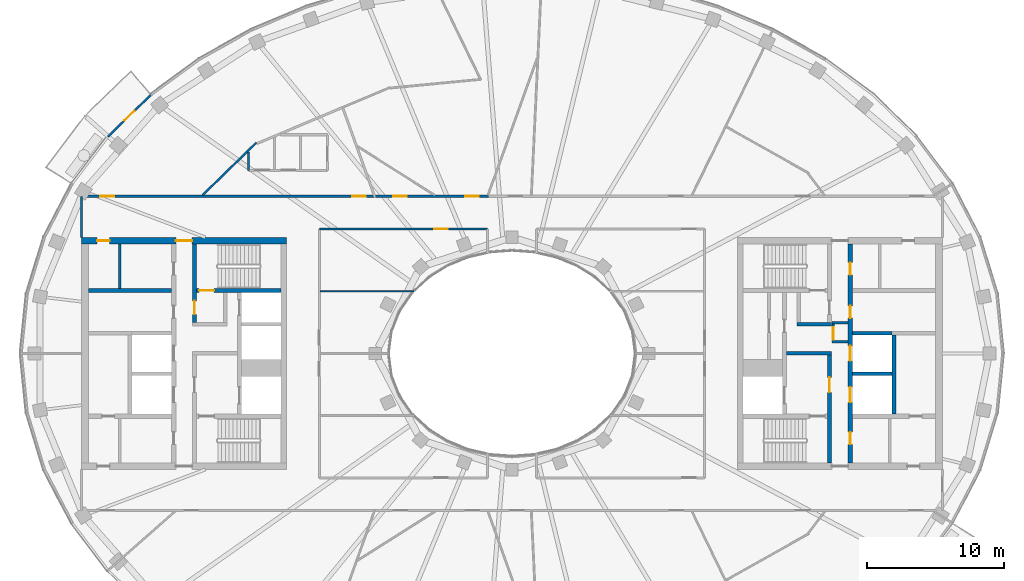
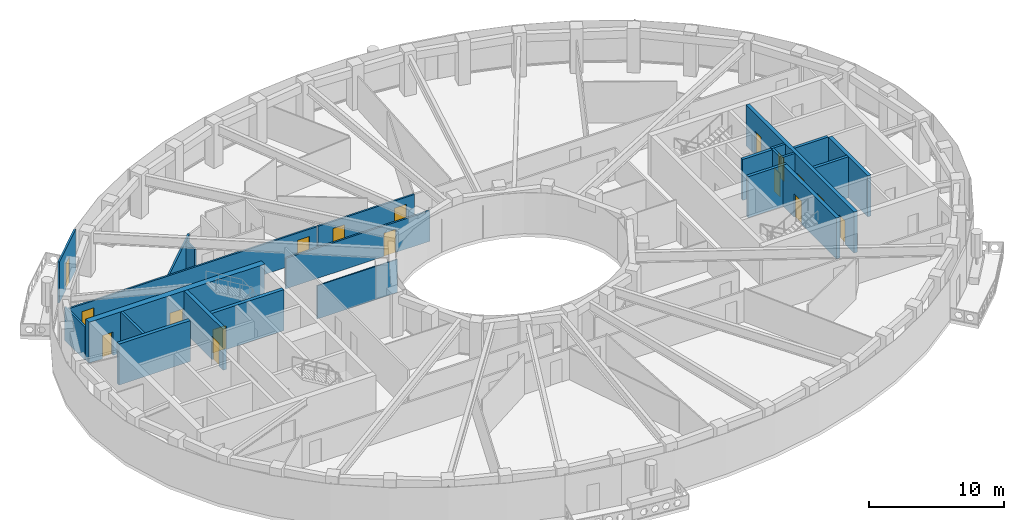
# One storey, part 5 of 16: 23 walls, 17 doors, 17 openings.
"""IFC4 building model written with IfcOpenShell, lengths in metres."""

from ifc_helpers import new_model, si_unit, direction, frame, frame_2d, origin, place, context, subcontext, project, spatial, rectangle, extrude, material, layer, layer_set, type_object, element, fill, save


model = new_model("IFC4")

# Units and contexts
model_context = context("Model", 3, precision=1e-05, world=origin(), true_north=direction((0.0, 1.0)))
body_context = subcontext(model_context, "Body", "Model", "MODEL_VIEW")
ifc_project = project(units=[si_unit("LENGTHUNIT", "METRE"), si_unit("AREAUNIT", "SQUARE_METRE"), si_unit("VOLUMEUNIT", "CUBIC_METRE"), si_unit("PLANEANGLEUNIT", "RADIAN"), si_unit("MASSUNIT", "GRAM", prefix="KILO")], contexts=[model_context])

# Site, building, storey
site_placement = place(None, origin())
site = spatial("IfcSite", under=ifc_project, at=site_placement, CompositionType="ELEMENT")
building_placement = place(site_placement, origin())
building = spatial("IfcBuilding", under=site, at=building_placement, Name="Noorbagh Ring Tower", CompositionType="ELEMENT")
storey_placement = place(building_placement, frame((0.0, 0.0, 303.0)))
storey = spatial("IfcBuildingStorey", under=building, at=storey_placement, Name="L65", CompositionType="ELEMENT", Elevation=303.0)

# Walls
ifc_material_1 = material(Name="Gypsum board on steel studs", Category="steel")
ifc_layer_1 = layer(ifc_material_1, 0.199951171875)
ifc_layer_set_1 = layer_set([ifc_layer_1], Name="Gypsum board on steel studs")
wall_type_1 = type_object("IfcWallType", Name="CORE-PARTITION-200", PredefinedType="PARTITIONING", material=ifc_layer_set_1)
wall_1_placement = place(storey_placement, frame((-28.699951171875, 4.75, 0.0), z_axis=(0.0, 0.0, 1.0), x_axis=(0.0, 1.0, 0.0)))
element("IfcWall", 1, at=wall_1_placement, inside=storey, type_object=wall_type_1, Name="Core partition W", PredefinedType="PARTITIONING", context=body_context, shape_type="SweptSolid", body=[
    extrude(rectangle(XDim=3.25, YDim=0.199951171875, at=frame_2d((1.625, 0.0))), origin(), (0.0, 0.0, 1.0), 3.699951171875),
])
for number, where, z_axis, x_axis, name in (
    (2, (23.39990234375, 0.85009765625, 0.0), (0.0, 0.0, 1.0), (1.0, 0.0, 0.0), "Core partition E"),
    (3, (23.39990234375, 2.25, 0.0), (0.0, 0.0, 1.0), (1.0, 0.0, 0.0), "Core partition E"),
):
    element("IfcWall", number, at=place(storey_placement, frame(where, z_axis=z_axis, x_axis=x_axis)), inside=storey, type_object=wall_type_1, Name=name, PredefinedType="PARTITIONING", context=body_context, shape_type="SweptSolid", body=[
        extrude(rectangle(XDim=1.2001953125, YDim=0.199951171875, at=frame_2d((0.60009765625, 0.0))), origin(), (0.0, 0.0, 1.0), 3.699951171875),
    ])

# Wall, opening, door
wall_2_placement = place(storey_placement, frame((23.5, 0.75, 0.0), z_axis=(0.0, 0.0, 1.0), x_axis=(0.0, 1.0, 0.0)))
wall_2 = element("IfcWall", 4, at=wall_2_placement, inside=storey, type_object=wall_type_1, Name="Core partition E", PredefinedType="PARTITIONING", context=body_context, shape_type="SweptSolid", body=[
    extrude(rectangle(XDim=1.60009765625, YDim=0.199951171875, at=frame_2d((0.800048828125, 0.0))), origin(), (0.0, 0.0, 1.0), 3.699951171875),
])
opening_1_placement = place(wall_2_placement, frame((0.25, 0.0, 0.0)))
opening_1 = element("IfcOpeningElement", 5, at=opening_1_placement, cuts=wall_2, Name="Opening L65-CE17", PredefinedType="OPENING", context=body_context, shape_type="SweptSolid", body=[
    extrude(rectangle(XDim=0.89990234375, YDim=2.10009765625, at=frame_2d((0.449951171875, 1.050048828125))), frame((0.0, 0.10986328125, 0.0), z_axis=(0.0, -1.0, 0.0), x_axis=(1.0, 0.0, 0.0)), (0.0, 0.0, 1.0), 0.219970703125),
])
ifc_material_2 = material(Name="Steel door leaf", Category="steel")
door_type_1 = type_object("IfcDoorType", Name="CORE-DOOR-DROOM", OperationType="SINGLE_SWING_LEFT", PredefinedType="DOOR", material=ifc_material_2)
door_1_placement = place(opening_1_placement, origin())
door_1 = element("IfcDoor", 6, at=door_1_placement, inside=storey, type_object=door_type_1, Name="Core room door L65-CE17", OperationType="SINGLE_SWING_LEFT", OverallHeight=2.10009765625, OverallWidth=0.89990234375, PredefinedType="DOOR", context=body_context, shape_type="SweptSolid", body=[
    extrude(rectangle(XDim=0.89990234375, YDim=2.10009765625, at=frame_2d((0.449951171875, 1.050048828125))), frame((0.0, 0.02490234375, 0.0), z_axis=(0.0, -1.0, 0.0), x_axis=(1.0, 0.0, 0.0)), (0.0, 0.0, 1.0), 0.050048828125),
])
fill(opening_1, door_1)

# Walls
ifc_material_3 = material(Name="Concrete C50/60", Category="concrete")
ifc_layer_2 = layer(ifc_material_3, 0.25)
ifc_layer_set_2 = layer_set([ifc_layer_2], Name="Concrete C50/60")
wall_type_2 = type_object("IfcWallType", Name="CORE-WALL-250-C50-60-EI120", PredefinedType="SHEAR", material=ifc_layer_set_2)
for number, where, z_axis, x_axis, name in (
    (7, (24.89990234375, -1.47509765625, 0.0), (0.0, 0.0, 1.0), (1.0, 0.0, 0.0), "Core wall E"),
    (8, (24.89990234375, 1.47509765625, 0.0), (0.0, 0.0, 1.0), (1.0, 0.0, 0.0), "Core wall E"),
):
    element("IfcWall", number, at=place(storey_placement, frame(where, z_axis=z_axis, x_axis=x_axis)), inside=storey, type_object=wall_type_2, Name=name, PredefinedType="SHEAR", context=body_context, shape_type="SweptSolid", body=[
        extrude(rectangle(XDim=2.900146484375, YDim=0.25, at=frame_2d((1.4501953125, 0.0))), origin(), (0.0, 0.0, 1.0), 3.699951171875),
    ])
ifc_material_4 = material(Name="Concrete C50/60", Category="concrete")
ifc_layer_3 = layer(ifc_material_4, 0.25)
ifc_layer_set_3 = layer_set([ifc_layer_3], Name="Concrete C50/60")
wall_type_3 = type_object("IfcWallType", Name="CORE-WALL-250-C50-60-EI240", PredefinedType="SHEAR", material=ifc_layer_set_3)
wall_3_placement = place(storey_placement, frame((20.10009765625, 0.0, 0.0), z_axis=(0.0, 0.0, 1.0), x_axis=(1.0, 0.0, 0.0)))
element("IfcWall", 9, at=wall_3_placement, inside=storey, type_object=wall_type_3, Name="Core wall E", PredefinedType="SHEAR", context=body_context, shape_type="SweptSolid", body=[
    extrude(rectangle(XDim=3.27978515625, YDim=0.25, at=frame_2d((1.639892578125, 0.0))), origin(), (0.0, 0.0, 1.0), 3.699951171875),
])
wall_4_placement = place(storey_placement, frame((20.85009765625, 2.125, 0.0), z_axis=(0.0, 0.0, 1.0), x_axis=(1.0, 0.0, 0.0)))
element("IfcWall", 10, at=wall_4_placement, inside=storey, type_object=wall_type_3, Name="Core wall E", PredefinedType="SHEAR", context=body_context, shape_type="SweptSolid", body=[
    extrude(rectangle(XDim=2.52978515625, YDim=0.25, at=frame_2d((1.264892578125, 0.0))), origin(), (0.0, 0.0, 1.0), 3.699951171875),
])
ifc_material_5 = material(Name="Concrete C50/60", Category="concrete")
ifc_layer_4 = layer(ifc_material_5, 0.300048828125)
ifc_layer_set_4 = layer_set([ifc_layer_4], Name="Concrete C50/60")
wall_type_4 = type_object("IfcWallType", Name="CORE-WALL-300-C50-60-EI120", PredefinedType="SHEAR", material=ifc_layer_set_4)
wall_5_placement = place(storey_placement, frame((27.949951171875, -4.449951171875, 0.0), z_axis=(0.0, 0.0, 1.0), x_axis=(0.0, 1.0, 0.0)))
element("IfcWall", 11, at=wall_5_placement, inside=storey, type_object=wall_type_4, Name="Core wall E", PredefinedType="SHEAR", context=body_context, shape_type="SweptSolid", body=[
    extrude(rectangle(XDim=5.800048828125, YDim=0.300048828125, at=frame_2d((2.89990234375, 0.0))), origin(), (0.0, 0.0, 1.0), 3.699951171875),
])

# Wall, openings, doors
wall_6_placement = place(storey_placement, frame((24.75, -8.0, 0.0), z_axis=(0.0, 0.0, 1.0), x_axis=(0.0, 1.0, 0.0)))
wall_6 = element("IfcWall", 12, at=wall_6_placement, inside=storey, type_object=wall_type_4, Name="Core wall E", PredefinedType="SHEAR", context=body_context, shape_type="SweptSolid", body=[
    extrude(rectangle(XDim=16.0, YDim=0.300048828125, at=frame_2d((8.0, 0.0))), origin(), (0.0, 0.0, 1.0), 3.699951171875),
])
opening_2_placement = place(wall_6_placement, frame((4.425048828125, 0.0, 0.0)))
opening_2 = element("IfcOpeningElement", 13, at=opening_2_placement, cuts=wall_6, Name="Opening L65-CE02", PredefinedType="OPENING", context=body_context, shape_type="SweptSolid", body=[
    extrude(rectangle(XDim=1.10009765625, YDim=2.10009765625, at=frame_2d((0.550048828125, 1.050048828125))), frame((0.0, 0.16015625, 0.0), z_axis=(0.0, -1.0, 0.0), x_axis=(1.0, 0.0, 0.0)), (0.0, 0.0, 1.0), 0.320068359375),
])
opening_3_placement = place(wall_6_placement, frame((7.449951171875, 0.0, 0.0)))
opening_3 = element("IfcOpeningElement", 14, at=opening_3_placement, cuts=wall_6, Name="Opening L65-CE03", PredefinedType="OPENING", context=body_context, shape_type="SweptSolid", body=[
    extrude(rectangle(XDim=1.10009765625, YDim=2.10009765625, at=frame_2d((0.550048828125, 1.050048828125))), frame((0.0, 0.16015625, 0.0), z_axis=(0.0, -1.0, 0.0), x_axis=(1.0, 0.0, 0.0)), (0.0, 0.0, 1.0), 0.320068359375),
])
opening_4_placement = place(wall_6_placement, frame((10.574951171875, 0.0, 0.0)))
opening_4 = element("IfcOpeningElement", 15, at=opening_4_placement, cuts=wall_6, Name="Opening L65-CE12", PredefinedType="OPENING", context=body_context, shape_type="SweptSolid", body=[
    extrude(rectangle(XDim=0.89990234375, YDim=2.10009765625, at=frame_2d((0.449951171875, 1.050048828125))), frame((0.0, 0.16015625, 0.0), z_axis=(0.0, -1.0, 0.0), x_axis=(1.0, 0.0, 0.0)), (0.0, 0.0, 1.0), 0.320068359375),
])
opening_5_placement = place(wall_6_placement, frame((13.75, 0.0, 0.0)))
opening_5 = element("IfcOpeningElement", 16, at=opening_5_placement, cuts=wall_6, Name="Opening L65-CE13", PredefinedType="OPENING", context=body_context, shape_type="SweptSolid", body=[
    extrude(rectangle(XDim=0.89990234375, YDim=2.10009765625, at=frame_2d((0.449951171875, 1.050048828125))), frame((0.0, 0.16015625, 0.0), z_axis=(0.0, -1.0, 0.0), x_axis=(1.0, 0.0, 0.0)), (0.0, 0.0, 1.0), 0.320068359375),
])
opening_6_placement = place(wall_6_placement, frame((1.35009765625, 0.0, 0.0)))
opening_6 = element("IfcOpeningElement", 17, at=opening_6_placement, cuts=wall_6, Name="Opening L65-CE15", PredefinedType="OPENING", context=body_context, shape_type="SweptSolid", body=[
    extrude(rectangle(XDim=0.89990234375, YDim=2.10009765625, at=frame_2d((0.449951171875, 1.050048828125))), frame((0.0, 0.16015625, 0.0), z_axis=(0.0, -1.0, 0.0), x_axis=(1.0, 0.0, 0.0)), (0.0, 0.0, 1.0), 0.320068359375),
])
door_2_placement = place(opening_4_placement, origin())
door_2 = element("IfcDoor", 18, at=door_2_placement, inside=storey, type_object=door_type_1, Name="Core room door L65-CE12", OperationType="SINGLE_SWING_LEFT", OverallHeight=2.10009765625, OverallWidth=0.89990234375, PredefinedType="DOOR", context=body_context, shape_type="SweptSolid", body=[
    extrude(rectangle(XDim=0.89990234375, YDim=2.10009765625, at=frame_2d((0.449951171875, 1.050048828125))), frame((0.0, 0.02490234375, 0.0), z_axis=(0.0, -1.0, 0.0), x_axis=(1.0, 0.0, 0.0)), (0.0, 0.0, 1.0), 0.050048828125),
])
fill(opening_4, door_2)
door_3_placement = place(opening_5_placement, origin())
door_3 = element("IfcDoor", 19, at=door_3_placement, inside=storey, type_object=door_type_1, Name="Core room door L65-CE13", OperationType="SINGLE_SWING_LEFT", OverallHeight=2.10009765625, OverallWidth=0.89990234375, PredefinedType="DOOR", context=body_context, shape_type="SweptSolid", body=[
    extrude(rectangle(XDim=0.89990234375, YDim=2.10009765625, at=frame_2d((0.449951171875, 1.050048828125))), frame((0.0, 0.02490234375, 0.0), z_axis=(0.0, -1.0, 0.0), x_axis=(1.0, 0.0, 0.0)), (0.0, 0.0, 1.0), 0.050048828125),
])
fill(opening_5, door_3)
door_4_placement = place(opening_6_placement, origin())
door_4 = element("IfcDoor", 20, at=door_4_placement, inside=storey, type_object=door_type_1, Name="Core room door L65-CE15", OperationType="SINGLE_SWING_RIGHT", OverallHeight=2.10009765625, OverallWidth=0.89990234375, PredefinedType="DOOR", context=body_context, shape_type="SweptSolid", body=[
    extrude(rectangle(XDim=0.89990234375, YDim=2.10009765625, at=frame_2d((0.449951171875, 1.050048828125))), frame((0.0, 0.02490234375, 0.0), z_axis=(0.0, -1.0, 0.0), x_axis=(1.0, 0.0, 0.0)), (0.0, 0.0, 1.0), 0.050048828125),
])
fill(opening_6, door_4)
ifc_material_6 = material(Name="Steel door leaf", Category="steel")
door_type_2 = type_object("IfcDoorType", Name="CORE-DOOR-LD", OperationType="DOUBLE_DOOR_SLIDING", PredefinedType="DOOR", material=ifc_material_6)
door_5_placement = place(opening_2_placement, origin())
door_5 = element("IfcDoor", 21, at=door_5_placement, inside=storey, type_object=door_type_2, Name="Landing door HR12 L65-CE02", OperationType="DOUBLE_DOOR_SLIDING", OverallHeight=2.10009765625, OverallWidth=1.10009765625, PredefinedType="DOOR", context=body_context, shape_type="SweptSolid", body=[
    extrude(rectangle(XDim=1.10009765625, YDim=2.10009765625, at=frame_2d((0.550048828125, 1.050048828125))), frame((0.0, 0.02490234375, 0.0), z_axis=(0.0, -1.0, 0.0), x_axis=(1.0, 0.0, 0.0)), (0.0, 0.0, 1.0), 0.050048828125),
])
fill(opening_2, door_5)
door_6_placement = place(opening_3_placement, origin())
door_6 = element("IfcDoor", 22, at=door_6_placement, inside=storey, type_object=door_type_2, Name="Landing door HR13 L65-CE03", OperationType="DOUBLE_DOOR_SLIDING", OverallHeight=2.10009765625, OverallWidth=1.10009765625, PredefinedType="DOOR", context=body_context, shape_type="SweptSolid", body=[
    extrude(rectangle(XDim=1.10009765625, YDim=2.10009765625, at=frame_2d((0.550048828125, 1.050048828125))), frame((0.0, 0.02490234375, 0.0), z_axis=(0.0, -1.0, 0.0), x_axis=(1.0, 0.0, 0.0)), (0.0, 0.0, 1.0), 0.050048828125),
])
fill(opening_3, door_6)

# Wall
ifc_material_7 = material(Name="Concrete C50/60", Category="concrete")
ifc_layer_5 = layer(ifc_material_7, 0.300048828125)
ifc_layer_set_5 = layer_set([ifc_layer_5], Name="Concrete C50/60")
wall_type_5 = type_object("IfcWallType", Name="CORE-WALL-300-C50-60-EI240", PredefinedType="SHEAR", material=ifc_layer_set_5)
wall_7_placement = place(storey_placement, frame((-24.89990234375, 4.60009765625, 0.0), z_axis=(0.0, 0.0, 1.0), x_axis=(-1.0, 0.0, 0.0)))
element("IfcWall", 23, at=wall_7_placement, inside=storey, type_object=wall_type_5, Name="Core wall W", PredefinedType="SHEAR", context=body_context, shape_type="SweptSolid", body=[
    extrude(rectangle(XDim=6.10009765625, YDim=0.300048828125, at=frame_2d((3.050048828125, 0.0))), origin(), (0.0, 0.0, 1.0), 3.699951171875),
])

# Wall, opening, door
wall_8_placement = place(storey_placement, frame((-23.22998046875, 2.25, 0.0), z_axis=(0.0, 0.0, 1.0), x_axis=(0.0, 1.0, 0.0)))
wall_8 = element("IfcWall", 24, at=wall_8_placement, inside=storey, type_object=wall_type_5, Name="Core wall W", PredefinedType="SHEAR", context=body_context, shape_type="SweptSolid", body=[
    extrude(rectangle(XDim=5.75, YDim=0.300048828125, at=frame_2d((2.875, 0.0))), origin(), (0.0, 0.0, 1.0), 3.699951171875),
])
opening_7_placement = place(wall_8_placement, frame((0.60009765625, 0.0, 0.0)))
opening_7 = element("IfcOpeningElement", 25, at=opening_7_placement, cuts=wall_8, Name="Opening L65-CW08", PredefinedType="OPENING", context=body_context, shape_type="SweptSolid", body=[
    extrude(rectangle(XDim=1.0, YDim=2.10009765625, at=frame_2d((0.5, 1.050048828125))), frame((0.0, 0.16015625, 0.0), z_axis=(0.0, -1.0, 0.0), x_axis=(1.0, 0.0, 0.0)), (0.0, 0.0, 1.0), 0.320068359375),
])
ifc_material_8 = material(Name="Steel door leaf", Category="steel")
door_type_3 = type_object("IfcDoorType", Name="CORE-DOOR-DVEST", OperationType="SINGLE_SWING_LEFT", PredefinedType="DOOR", material=ifc_material_8)
door_7_placement = place(opening_7_placement, origin())
door_7 = element("IfcDoor", 26, at=door_7_placement, inside=storey, type_object=door_type_3, Name="Stair vestibule door L65-CW08", OperationType="SINGLE_SWING_LEFT", OverallHeight=2.10009765625, OverallWidth=1.0, PredefinedType="DOOR", context=body_context, shape_type="SweptSolid", body=[
    extrude(rectangle(XDim=1.0, YDim=2.10009765625, at=frame_2d((0.5, 1.050048828125))), frame((0.0, 0.02490234375, 0.0), z_axis=(0.0, -1.0, 0.0), x_axis=(1.0, 0.0, 0.0)), (0.0, 0.0, 1.0), 0.050048828125),
])
fill(opening_7, door_7)

wall_9_placement = place(storey_placement, frame((-16.89990234375, 4.60009765625, 0.0), z_axis=(0.0, 0.0, 1.0), x_axis=(-1.0, 0.0, 0.0)))
wall_9 = element("IfcWall", 27, at=wall_9_placement, inside=storey, type_object=wall_type_5, Name="Core wall W", PredefinedType="SHEAR", context=body_context, shape_type="SweptSolid", body=[
    extrude(rectangle(XDim=6.18017578125, YDim=0.300048828125, at=frame_2d((3.090087890625, 0.0))), origin(), (0.0, 0.0, 1.0), 3.699951171875),
])
opening_8_placement = place(wall_9_placement, frame((4.89990234375, 0.0, 0.0)))
opening_8 = element("IfcOpeningElement", 28, at=opening_8_placement, cuts=wall_9, Name="Opening L65-CW05", PredefinedType="OPENING", context=body_context, shape_type="SweptSolid", body=[
    extrude(rectangle(XDim=1.10009765625, YDim=2.10009765625, at=frame_2d((0.550048828125, 1.050048828125))), frame((0.0, 0.16015625, 0.0), z_axis=(0.0, -1.0, 0.0), x_axis=(1.0, 0.0, 0.0)), (0.0, 0.0, 1.0), 0.320068359375),
])
ifc_material_9 = material(Name="Steel door leaf", Category="steel")
door_type_4 = type_object("IfcDoorType", Name="CORE-DOOR-DSTAIR", OperationType="SINGLE_SWING_LEFT", PredefinedType="DOOR", material=ifc_material_9)
door_8_placement = place(opening_8_placement, origin())
door_8 = element("IfcDoor", 29, at=door_8_placement, inside=storey, type_object=door_type_4, Name="Stair door ST1 L65-CW05", OperationType="SINGLE_SWING_RIGHT", OverallHeight=2.10009765625, OverallWidth=1.10009765625, PredefinedType="DOOR", context=body_context, shape_type="SweptSolid", body=[
    extrude(rectangle(XDim=1.10009765625, YDim=2.10009765625, at=frame_2d((0.550048828125, 1.050048828125))), frame((0.0, 0.02490234375, 0.0), z_axis=(0.0, -1.0, 0.0), x_axis=(1.0, 0.0, 0.0)), (0.0, 0.0, 1.0), 0.050048828125),
])
fill(opening_8, door_8)

wall_10_placement = place(storey_placement, frame((23.22998046875, -8.0, 0.0), z_axis=(0.0, 0.0, 1.0), x_axis=(0.0, 1.0, 0.0)))
wall_10 = element("IfcWall", 30, at=wall_10_placement, inside=storey, type_object=wall_type_5, Name="Core wall E", PredefinedType="SHEAR", context=body_context, shape_type="SweptSolid", body=[
    extrude(rectangle(XDim=7.875, YDim=0.300048828125, at=frame_2d((3.9375, 0.0))), origin(), (0.0, 0.0, 1.0), 3.699951171875),
])
opening_9_placement = place(wall_10_placement, frame((5.14990234375, 0.0, 0.0)))
opening_9 = element("IfcOpeningElement", 31, at=opening_9_placement, cuts=wall_10, Name="Opening L65-CE06", PredefinedType="OPENING", context=body_context, shape_type="SweptSolid", body=[
    extrude(rectangle(XDim=1.10009765625, YDim=2.10009765625, at=frame_2d((0.550048828125, 1.050048828125))), frame((0.0, 0.16015625, 0.0), z_axis=(0.0, -1.0, 0.0), x_axis=(1.0, 0.0, 0.0)), (0.0, 0.0, 1.0), 0.320068359375),
])
ifc_material_10 = material(Name="Steel door leaf", Category="steel")
door_type_5 = type_object("IfcDoorType", Name="CORE-DOOR-DFF", OperationType="SINGLE_SWING_LEFT", PredefinedType="DOOR", material=ifc_material_10)
door_9_placement = place(opening_9_placement, origin())
door_9 = element("IfcDoor", 32, at=door_9_placement, inside=storey, type_object=door_type_5, Name="Firefighting lobby door L65-CE06", OperationType="SINGLE_SWING_RIGHT", OverallHeight=2.10009765625, OverallWidth=1.10009765625, PredefinedType="DOOR", context=body_context, shape_type="SweptSolid", body=[
    extrude(rectangle(XDim=1.10009765625, YDim=2.10009765625, at=frame_2d((0.550048828125, 1.050048828125))), frame((0.0, 0.02490234375, 0.0), z_axis=(0.0, -1.0, 0.0), x_axis=(1.0, 0.0, 0.0)), (0.0, 0.0, 1.0), 0.050048828125),
])
fill(opening_9, door_9)

# Wall, openings, doors
ifc_material_11 = material(Name="Concrete C50/60", Category="concrete")
ifc_layer_6 = layer(ifc_material_11, 0.5)
ifc_layer_set_6 = layer_set([ifc_layer_6], Name="Concrete C50/60")
wall_type_6 = type_object("IfcWallType", Name="CORE-WALL-500-C50-60-EI240", PredefinedType="SHEAR", material=ifc_layer_set_6)
wall_11_placement = place(storey_placement, frame((-16.5, 8.25, 0.0), z_axis=(0.0, 0.0, 1.0), x_axis=(-1.0, 0.0, 0.0)))
wall_11 = element("IfcWall", 33, at=wall_11_placement, inside=storey, type_object=wall_type_6, Name="Core wall W", PredefinedType="SHEAR", context=body_context, shape_type="SweptSolid", body=[
    extrude(rectangle(XDim=15.0, YDim=0.5, at=frame_2d((7.5, 0.0))), origin(), (0.0, 0.0, 1.0), 3.699951171875),
])
opening_10_placement = place(wall_11_placement, frame((6.89990234375, 0.0, 0.0)))
opening_10 = element("IfcOpeningElement", 34, at=opening_10_placement, cuts=wall_11, Name="Opening L65-CW09", PredefinedType="OPENING", context=body_context, shape_type="SweptSolid", body=[
    extrude(rectangle(XDim=1.199951171875, YDim=2.10009765625, at=frame_2d((0.60009765625, 1.050048828125))), frame((0.0, 0.260009765625, 0.0), z_axis=(0.0, -1.0, 0.0), x_axis=(1.0, 0.0, 0.0)), (0.0, 0.0, 1.0), 0.52001953125),
])
opening_11_placement = place(wall_11_placement, frame((12.949951171875, 0.0, 0.0)))
opening_11 = element("IfcOpeningElement", 35, at=opening_11_placement, cuts=wall_11, Name="Opening L65-CW13", PredefinedType="OPENING", context=body_context, shape_type="SweptSolid", body=[
    extrude(rectangle(XDim=0.89990234375, YDim=2.10009765625, at=frame_2d((0.449951171875, 1.050048828125))), frame((0.0, 0.260009765625, 0.0), z_axis=(0.0, -1.0, 0.0), x_axis=(1.0, 0.0, 0.0)), (0.0, 0.0, 1.0), 0.52001953125),
])
door_10_placement = place(opening_11_placement, origin())
door_10 = element("IfcDoor", 36, at=door_10_placement, inside=storey, type_object=door_type_1, Name="Core room door L65-CW13", OperationType="SINGLE_SWING_RIGHT", OverallHeight=2.10009765625, OverallWidth=0.89990234375, PredefinedType="DOOR", context=body_context, shape_type="SweptSolid", body=[
    extrude(rectangle(XDim=0.89990234375, YDim=2.10009765625, at=frame_2d((0.449951171875, 1.050048828125))), frame((0.0, 0.02490234375, 0.0), z_axis=(0.0, -1.0, 0.0), x_axis=(1.0, 0.0, 0.0)), (0.0, 0.0, 1.0), 0.050048828125),
])
fill(opening_11, door_10)
ifc_material_12 = material(Name="Steel door leaf", Category="steel")
door_type_6 = type_object("IfcDoorType", Name="CORE-DOOR-PORT", OperationType="DOUBLE_DOOR_DOUBLE_SWING", PredefinedType="DOOR", material=ifc_material_12)
door_11_placement = place(opening_10_placement, origin())
door_11 = element("IfcDoor", 37, at=door_11_placement, inside=storey, type_object=door_type_6, Name="Core entrance door L65-CW09", OperationType="DOUBLE_DOOR_DOUBLE_SWING", OverallHeight=2.10009765625, OverallWidth=1.199951171875, PredefinedType="DOOR", context=body_context, shape_type="SweptSolid", body=[
    extrude(rectangle(XDim=1.199951171875, YDim=2.10009765625, at=frame_2d((0.60009765625, 1.050048828125))), frame((0.0, 0.02490234375, 0.0), z_axis=(0.0, -1.0, 0.0), x_axis=(1.0, 0.0, 0.0)), (0.0, 0.0, 1.0), 0.050048828125),
])
fill(opening_10, door_11)

# Wall
ifc_material_13 = material(Name="Gypsum board on steel studs", Category="steel")
ifc_layer_7 = layer(ifc_material_13, 0.14990234375)
ifc_layer_set_7 = layer_set([ifc_layer_7], Name="Gypsum board on steel studs")
wall_type_7 = type_object("IfcWallType", Name="CORRIDOR PARTITION 150 EI 30", PredefinedType="PARTITIONING", material=ifc_layer_set_7)
wall_12_placement = place(storey_placement, frame((-31.5, 8.5, 0.0), z_axis=(0.0, 0.0, 1.0), x_axis=(0.0, 1.0, 0.0)))
element("IfcWall", 38, at=wall_12_placement, inside=storey, type_object=wall_type_7, Name="L65/wall/P04", PredefinedType="PARTITIONING", context=body_context, shape_type="SweptSolid", body=[
    extrude(rectangle(XDim=3.0, YDim=0.14990234375, at=frame_2d((1.5, 0.0))), origin(), (0.0, 0.0, 1.0), 3.0),
])

# Wall, openings, doors
wall_13_placement = place(storey_placement, frame((-31.5, 11.5, 0.0), z_axis=(0.0, 0.0, 1.0), x_axis=(1.0, 0.0, 0.0)))
wall_13 = element("IfcWall", 39, at=wall_13_placement, inside=storey, type_object=wall_type_7, Name="L65/wall/P05", PredefinedType="PARTITIONING", context=body_context, shape_type="SweptSolid", body=[
    extrude(rectangle(XDim=21.431884765625, YDim=0.14990234375, at=frame_2d((10.7158203125, 0.0))), origin(), (0.0, 0.0, 1.0), 2.75),
])
opening_12_placement = place(wall_13_placement, frame((19.7939453125, 0.0, 0.0)))
opening_12 = element("IfcOpeningElement", 40, at=opening_12_placement, cuts=wall_13, Name="Opening D1", PredefinedType="OPENING", context=body_context, shape_type="SweptSolid", body=[
    extrude(rectangle(XDim=1.0, YDim=2.10009765625, at=frame_2d((0.5, 1.050048828125))), frame((0.0, 0.0849609375, 0.0), z_axis=(0.0, -1.0, 0.0), x_axis=(1.0, 0.0, 0.0)), (0.0, 0.0, 1.0), 0.169921875),
])
opening_13_placement = place(wall_13_placement, frame((1.381103515625, 0.0, 0.0)))
opening_13 = element("IfcOpeningElement", 41, at=opening_13_placement, cuts=wall_13, Name="Opening D1", PredefinedType="OPENING", context=body_context, shape_type="SweptSolid", body=[
    extrude(rectangle(XDim=1.0, YDim=2.10009765625, at=frame_2d((0.5, 1.050048828125))), frame((0.0, 0.0849609375, 0.0), z_axis=(0.0, -1.0, 0.0), x_axis=(1.0, 0.0, 0.0)), (0.0, 0.0, 1.0), 0.169921875),
])
ifc_material_14 = material(Name="Timber, painted", Category="wood")
door_type_7 = type_object("IfcDoorType", Name="DOOR 1000 X 2100 FD30", OperationType="SINGLE_SWING_LEFT", PredefinedType="DOOR", material=ifc_material_14)
door_12_placement = place(opening_12_placement, origin())
door_12 = element("IfcDoor", 42, at=door_12_placement, inside=storey, type_object=door_type_7, Name="L65-D01", OperationType="SINGLE_SWING_LEFT", OverallHeight=2.10009765625, OverallWidth=1.0, PredefinedType="DOOR", context=body_context, shape_type="SweptSolid", body=[
    extrude(rectangle(XDim=1.0, YDim=2.10009765625, at=frame_2d((0.5, 1.050048828125))), frame((0.0, 0.02490234375, 0.0), z_axis=(0.0, -1.0, 0.0), x_axis=(1.0, 0.0, 0.0)), (0.0, 0.0, 1.0), 0.050048828125),
])
fill(opening_12, door_12)
door_13_placement = place(opening_13_placement, origin())
door_13 = element("IfcDoor", 43, at=door_13_placement, inside=storey, type_object=door_type_7, Name="L65-D06", OperationType="SINGLE_SWING_RIGHT", OverallHeight=2.10009765625, OverallWidth=1.0, PredefinedType="DOOR", context=body_context, shape_type="SweptSolid", body=[
    extrude(rectangle(XDim=1.0, YDim=2.10009765625, at=frame_2d((0.5, 1.050048828125))), frame((0.0, 0.02490234375, 0.0), z_axis=(0.0, -1.0, 0.0), x_axis=(1.0, 0.0, 0.0)), (0.0, 0.0, 1.0), 0.050048828125),
])
fill(opening_13, door_13)

# Walls
wall_14_placement = place(storey_placement, frame((-22.64501953125, 11.577880859375, 0.0), z_axis=(0.0, 0.0, 1.0), x_axis=(0.715959052993, 0.698142273779, 0.0)))
element("IfcWall", 44, at=wall_14_placement, inside=storey, type_object=wall_type_7, Name="L65/wall/P07", PredefinedType="PARTITIONING", context=body_context, shape_type="SweptSolid", body=[
    extrude(rectangle(XDim=5.494873046875, YDim=0.14990234375, at=frame_2d((2.74755859375, 0.0))), origin(), (0.0, 0.0, 1.0), 2.75),
])
wall_15_placement = place(storey_placement, frame((-19.291015625, 13.39990234375, 0.0), z_axis=(0.0, 0.0, 1.0), x_axis=(0.0, 1.0, 0.0)))
element("IfcWall", 45, at=wall_15_placement, inside=storey, type_object=wall_type_7, Name="L65/wall/P08", PredefinedType="PARTITIONING", context=body_context, shape_type="SweptSolid", body=[
    extrude(rectangle(XDim=1.339111328125, YDim=0.14990234375, at=frame_2d((0.66943359375, 0.0))), origin(), (0.0, 0.0, 1.0), 2.75),
])

# Wall, opening, door
wall_16_placement = place(storey_placement, frame((-14.10009765625, 9.10009765625, 0.0), z_axis=(0.0, 0.0, 1.0), x_axis=(1.0, 0.0, 0.0)))
wall_16 = element("IfcWall", 46, at=wall_16_placement, inside=storey, type_object=wall_type_7, Name="L65/wall/P20", PredefinedType="PARTITIONING", context=body_context, shape_type="SweptSolid", body=[
    extrude(rectangle(XDim=12.300048828125, YDim=0.14990234375, at=frame_2d((6.14990234375, 0.0))), origin(), (0.0, 0.0, 1.0), 2.75),
])
opening_14_placement = place(wall_16_placement, frame((8.39990234375, 0.0, 0.0)))
opening_14 = element("IfcOpeningElement", 47, at=opening_14_placement, cuts=wall_16, Name="Opening D1", PredefinedType="OPENING", context=body_context, shape_type="SweptSolid", body=[
    extrude(rectangle(XDim=1.0, YDim=2.10009765625, at=frame_2d((0.5, 1.050048828125))), frame((0.0, 0.0849609375, 0.0), z_axis=(0.0, -1.0, 0.0), x_axis=(1.0, 0.0, 0.0)), (0.0, 0.0, 1.0), 0.169921875),
])
door_14_placement = place(opening_14_placement, origin())
door_14 = element("IfcDoor", 48, at=door_14_placement, inside=storey, type_object=door_type_7, Name="L65-D24", OperationType="SINGLE_SWING_RIGHT", OverallHeight=2.10009765625, OverallWidth=1.0, PredefinedType="DOOR", context=body_context, shape_type="SweptSolid", body=[
    extrude(rectangle(XDim=1.0, YDim=2.10009765625, at=frame_2d((0.5, 1.050048828125))), frame((0.0, 0.02490234375, 0.0), z_axis=(0.0, -1.0, 0.0), x_axis=(1.0, 0.0, 0.0)), (0.0, 0.0, 1.0), 0.050048828125),
])
fill(opening_14, door_14)

# Wall, openings, doors
wall_17_placement = place(storey_placement, frame((-9.97607421875, 11.5, 0.0), z_axis=(0.0, 0.0, 1.0), x_axis=(1.0, 0.0, 0.0)))
wall_17 = element("IfcWall", 49, at=wall_17_placement, inside=storey, type_object=wall_type_7, Name="L65/wall/P27", PredefinedType="PARTITIONING", context=body_context, shape_type="SweptSolid", body=[
    extrude(rectangle(XDim=8.244140625, YDim=0.14990234375, at=frame_2d((4.1220703125, 0.0))), origin(), (0.0, 0.0, 1.0), 2.75),
])
opening_15_placement = place(wall_17_placement, frame((6.552001953125, 0.0, 0.0)))
opening_15 = element("IfcOpeningElement", 50, at=opening_15_placement, cuts=wall_17, Name="Opening D1", PredefinedType="OPENING", context=body_context, shape_type="SweptSolid", body=[
    extrude(rectangle(XDim=1.0, YDim=2.10009765625, at=frame_2d((0.5, 1.050048828125))), frame((0.0, 0.0849609375, 0.0), z_axis=(0.0, -1.0, 0.0), x_axis=(1.0, 0.0, 0.0)), (0.0, 0.0, 1.0), 0.169921875),
])
opening_16_placement = place(wall_17_placement, frame((1.2880859375, 0.0, 0.0)))
opening_16 = element("IfcOpeningElement", 51, at=opening_16_placement, cuts=wall_17, Name="Opening D1", PredefinedType="OPENING", context=body_context, shape_type="SweptSolid", body=[
    extrude(rectangle(XDim=1.0, YDim=2.10009765625, at=frame_2d((0.5, 1.050048828125))), frame((0.0, 0.0849609375, 0.0), z_axis=(0.0, -1.0, 0.0), x_axis=(1.0, 0.0, 0.0)), (0.0, 0.0, 1.0), 0.169921875),
])
door_15_placement = place(opening_15_placement, origin())
door_15 = element("IfcDoor", 52, at=door_15_placement, inside=storey, type_object=door_type_7, Name="L65-D09", OperationType="SINGLE_SWING_LEFT", OverallHeight=2.10009765625, OverallWidth=1.0, PredefinedType="DOOR", context=body_context, shape_type="SweptSolid", body=[
    extrude(rectangle(XDim=1.0, YDim=2.10009765625, at=frame_2d((0.5, 1.050048828125))), frame((0.0, 0.02490234375, 0.0), z_axis=(0.0, -1.0, 0.0), x_axis=(1.0, 0.0, 0.0)), (0.0, 0.0, 1.0), 0.050048828125),
])
fill(opening_15, door_15)
door_16_placement = place(opening_16_placement, origin())
door_16 = element("IfcDoor", 53, at=door_16_placement, inside=storey, type_object=door_type_7, Name="L65-D11", OperationType="SINGLE_SWING_RIGHT", OverallHeight=2.10009765625, OverallWidth=1.0, PredefinedType="DOOR", context=body_context, shape_type="SweptSolid", body=[
    extrude(rectangle(XDim=1.0, YDim=2.10009765625, at=frame_2d((0.5, 1.050048828125))), frame((0.0, 0.02490234375, 0.0), z_axis=(0.0, -1.0, 0.0), x_axis=(1.0, 0.0, 0.0)), (0.0, 0.0, 1.0), 0.050048828125),
])
fill(opening_16, door_16)

# Wall, opening, door
ifc_material_15 = material(Name="Insulated aluminium clad panel", Category="aluminium")
ifc_layer_8 = layer(ifc_material_15, 0.14990234375)
ifc_layer_set_8 = layer_set([ifc_layer_8], Name="Insulated aluminium clad panel")
wall_type_8 = type_object("IfcWallType", Name="ENV-WALL-DOOR", PredefinedType="STANDARD", material=ifc_layer_set_8)
wall_18_placement = place(storey_placement, frame((-26.396484375, 18.943359375, 0.0), z_axis=(0.0, 0.0, 1.0), x_axis=(-0.717214761864, -0.696852197647, 0.0)))
wall_18 = element("IfcWall", 54, at=wall_18_placement, inside=storey, type_object=wall_type_8, Name="Balcony door wall chord 19", PredefinedType="STANDARD", context=body_context, shape_type="SweptSolid", body=[
    extrude(rectangle(XDim=4.424072265625, YDim=0.14990234375, at=frame_2d((2.2119140625, 0.0))), origin(), (0.0, 0.0, 1.0), 3.699951171875),
])
opening_17_placement = place(wall_18_placement, frame((1.712158203125, 0.0, 0.0)))
opening_17 = element("IfcOpeningElement", 55, at=opening_17_placement, cuts=wall_18, Name="Opening D-BL", PredefinedType="OPENING", context=body_context, shape_type="SweptSolid", body=[
    extrude(rectangle(XDim=1.0, YDim=2.39990234375, at=frame_2d((0.5, 1.199951171875))), frame((0.0, 0.0849609375, 0.0), z_axis=(0.0, -1.0, 0.0), x_axis=(1.0, 0.0, 0.0)), (0.0, 0.0, 1.0), 0.169921875),
])
ifc_material_16 = material(Name="Aluminium and glass", Category="aluminium")
door_type_8 = type_object("IfcDoorType", Name="ENV-DOOR-BALCONY", OperationType="SINGLE_SWING_LEFT", PredefinedType="DOOR", material=ifc_material_16)
door_17_placement = place(opening_17_placement, origin())
door_17 = element("IfcDoor", 56, at=door_17_placement, inside=storey, type_object=door_type_8, Name="Balcony door chord 19", OperationType="SINGLE_SWING_RIGHT", OverallHeight=2.39990234375, OverallWidth=1.0, PredefinedType="DOOR", context=body_context, shape_type="SweptSolid", body=[
    extrude(rectangle(XDim=1.0, YDim=2.39990234375, at=frame_2d((0.5, 1.199951171875))), frame((0.0, 0.02490234375, 0.0), z_axis=(0.0, -1.0, 0.0), x_axis=(1.0, 0.0, 0.0)), (0.0, 0.0, 1.0), 0.050048828125),
])
fill(opening_17, door_17)

# Wall
ifc_material_17 = material(Name="Gypsum board on steel studs", Category="steel")
ifc_layer_9 = layer(ifc_material_17, 0.10009765625)
ifc_layer_set_9 = layer_set([ifc_layer_9], Name="Gypsum board on steel studs")
wall_type_9 = type_object("IfcWallType", Name="PARTITION 100 GYPSUM", PredefinedType="PARTITIONING", material=ifc_layer_set_9)
wall_19_placement = place(storey_placement, frame((-14.02490234375, 4.550048828125, 0.0), z_axis=(0.0, 0.0, 1.0), x_axis=(1.0, 0.0, 0.0)))
element("IfcWall", 57, at=wall_19_placement, inside=storey, type_object=wall_type_9, Name="L65/wall/P19", PredefinedType="PARTITIONING", context=body_context, shape_type="SweptSolid", body=[
    extrude(rectangle(XDim=6.850830078125, YDim=0.10009765625, at=frame_2d((3.42529296875, 0.0))), origin(), (0.0, 0.0, 1.0), 3.0),
])

save(model, "model.ifc")
